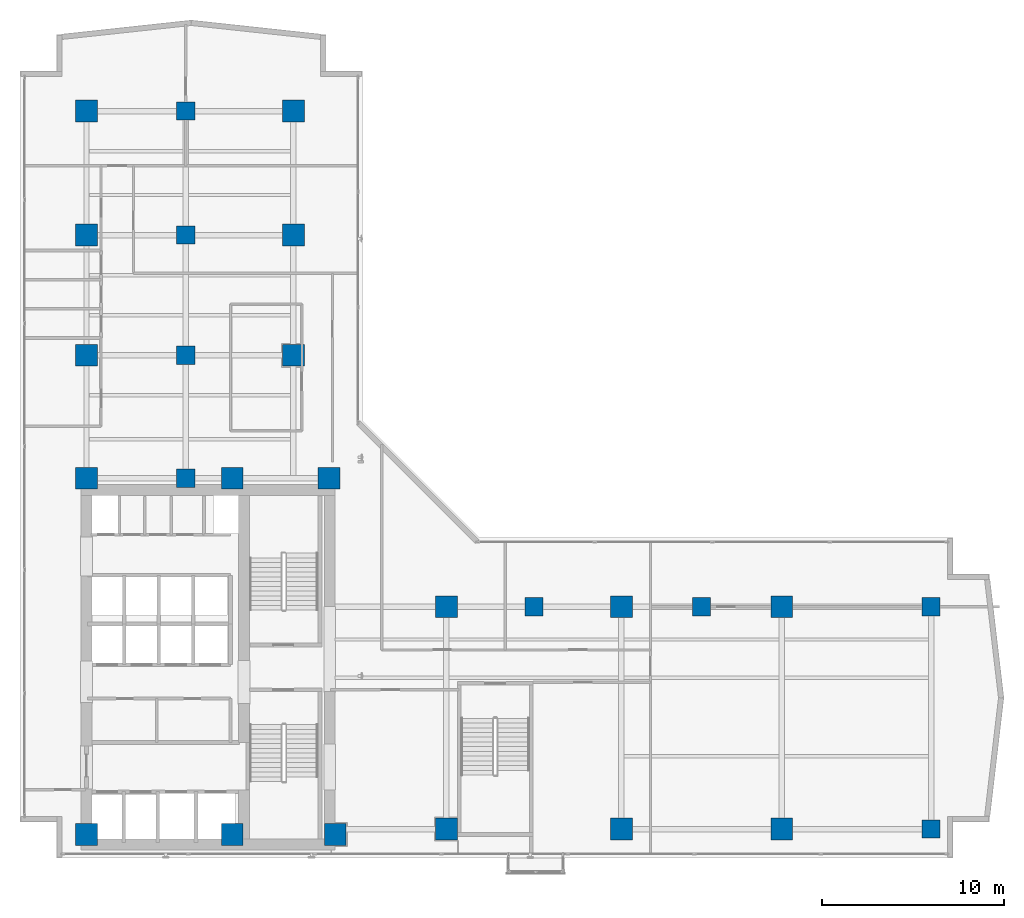
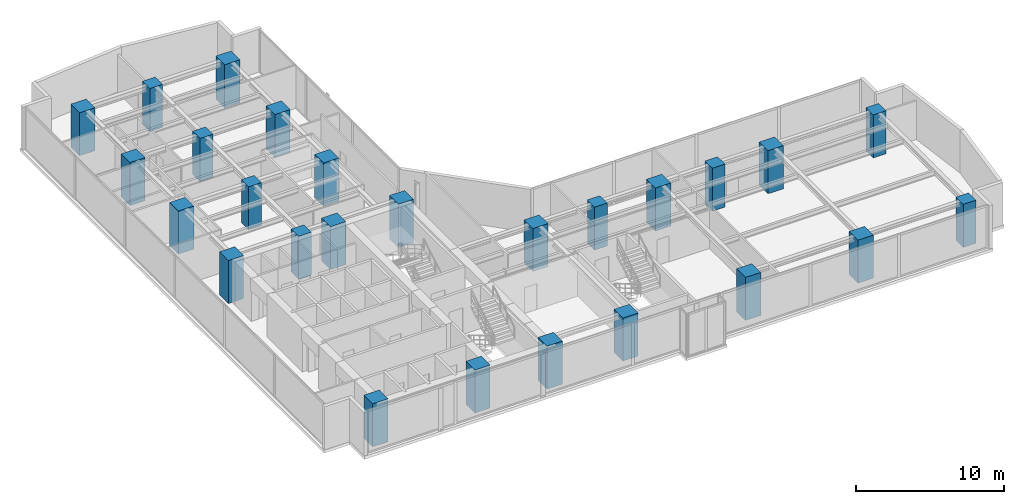
# One storey, part 1 of 24: 26 columns.
"""IFC4 building model written with IfcOpenShell, lengths in metres."""

from ifc_helpers import new_model, si_unit, direction, frame, origin, origin_2d, place, context, subcontext, project, spatial, rectangle, extrude, material, material_profile, profile_set, type_object, element, save


model = new_model("IFC4")

# Units and contexts
model_context = context("Model", 3, precision=1e-05, world=origin(), true_north=direction((0.0, 1.0)))
body_context = subcontext(model_context, "Body", "Model", "MODEL_VIEW")
ifc_project = project(units=[si_unit("LENGTHUNIT", "METRE"), si_unit("AREAUNIT", "SQUARE_METRE"), si_unit("VOLUMEUNIT", "CUBIC_METRE"), si_unit("PLANEANGLEUNIT", "RADIAN"), si_unit("MASSUNIT", "GRAM", prefix="KILO")], contexts=[model_context])

# Site, building, storey
site_placement = place(None, origin())
site = spatial("IfcSite", under=ifc_project, at=site_placement, CompositionType="ELEMENT")
building_placement = place(site_placement, origin())
building = spatial("IfcBuilding", under=site, at=building_placement, Name="Kolvaren Waterfront Exchange", CompositionType="ELEMENT")
storey_placement = place(building_placement, frame((0.0, 0.0, 172.800048828125)))
storey = spatial("IfcBuildingStorey", under=building, at=storey_placement, Name="L44", CompositionType="ELEMENT", Elevation=172.800048828125)

# Columns
ifc_material = material(Name="Concrete C60/75", Category="concrete")
ifc_material_profile_1 = material_profile(ifc_material, rectangle(XDim=1.0, YDim=1.0, at=origin_2d()), Name="RC-COL-1000x1000")
ifc_profile_set_1 = profile_set([ifc_material_profile_1], Name="Concrete C60/75")
column_type_1 = type_object("IfcColumnType", Name="STR-COL-1000-C60", PredefinedType="COLUMN", material=ifc_profile_set_1)
for number, where, z_axis, x_axis, name in (
    (1, (53.800048828125, 5.199951171875, 0.0), (0.0, 0.0, 1.0), (1.0, 0.0, 0.0), "L44 column ZC01"),
    (2, (53.800048828125, 17.39990234375, 0.0), (0.0, 0.0, 1.0), (1.0, 0.0, 0.0), "L44 column ZC02"),
    (3, (12.89990234375, 24.449951171875, 0.0), (0.0, 0.0, 1.0), (1.0, 0.0, 0.0), "L44 column TC01"),
    (4, (12.89990234375, 31.199951171875, 0.0), (0.0, 0.0, 1.0), (1.0, 0.0, 0.0), "L44 column TC02"),
    (5, (12.89990234375, 37.800048828125, 0.0), (0.0, 0.0, 1.0), (1.0, 0.0, 0.0), "L44 column TC03"),
    (6, (12.89990234375, 44.60009765625, 0.0), (0.0, 0.0, 1.0), (1.0, 0.0, 0.0), "L44 column TC04"),
    (7, (32.0, 17.39990234375, 0.0), (0.0, 0.0, 1.0), (1.0, 0.0, 0.0), "L44 column TC05"),
    (8, (41.199951171875, 17.39990234375, 0.0), (0.0, 0.0, 1.0), (1.0, 0.0, 0.0), "L44 column TC06"),
):
    element("IfcColumn", number, at=place(storey_placement, frame(where, z_axis=z_axis, x_axis=x_axis)), inside=storey, type_object=column_type_1, Name=name, PredefinedType="COLUMN", context=body_context, shape_type="SweptSolid", body=[
        extrude(rectangle(XDim=1.0, YDim=1.0, at=origin_2d()), origin(), (0.0, 0.0, 1.0), 3.56005859375),
    ])
ifc_material_profile_2 = material_profile(ifc_material, rectangle(XDim=1.199951171875, YDim=1.199951171875, at=origin_2d()), Name="RC-COL-1200x1200")
ifc_profile_set_2 = profile_set([ifc_material_profile_2], Name="Concrete C60/75")
column_type_2 = type_object("IfcColumnType", Name="STR-COL-1200-C60", PredefinedType="COLUMN", material=ifc_profile_set_2)
for number, where, z_axis, x_axis, name in (
    (9, (7.449951171875, 4.89990234375, 0.0), (0.0, 0.0, 1.0), (1.0, 0.0, 0.0), "L44 column MC01"),
    (10, (15.449951171875, 4.89990234375, 0.0), (0.0, 0.0, 1.0), (1.0, 0.0, 0.0), "L44 column MC02"),
    (11, (21.10009765625, 4.89990234375, 0.0), (0.0, 0.0, 1.0), (1.0, 0.0, 0.0), "L44 column MC03"),
    (12, (7.449951171875, 24.449951171875, 0.0), (0.0, 0.0, 1.0), (1.0, 0.0, 0.0), "L44 column MC04"),
    (13, (15.449951171875, 24.449951171875, 0.0), (0.0, 0.0, 1.0), (1.0, 0.0, 0.0), "L44 column MC05"),
    (14, (20.75, 24.449951171875, 0.0), (0.0, 0.0, 1.0), (1.0, 0.0, 0.0), "L44 column MC06"),
    (15, (7.449951171875, 31.199951171875, 0.0), (0.0, 0.0, 1.0), (1.0, 0.0, 0.0), "L44 column NC01"),
    (16, (7.449951171875, 37.800048828125, 0.0), (0.0, 0.0, 1.0), (1.0, 0.0, 0.0), "L44 column NC02"),
    (17, (7.449951171875, 44.60009765625, 0.0), (0.0, 0.0, 1.0), (1.0, 0.0, 0.0), "L44 column NC03"),
    (18, (18.800048828125, 31.199951171875, 0.0), (0.0, 0.0, 1.0), (1.0, 0.0, 0.0), "L44 column NC04"),
    (19, (18.800048828125, 37.800048828125, 0.0), (0.0, 0.0, 1.0), (1.0, 0.0, 0.0), "L44 column NC05"),
    (20, (18.800048828125, 44.60009765625, 0.0), (0.0, 0.0, 1.0), (1.0, 0.0, 0.0), "L44 column NC06"),
    (21, (27.199951171875, 5.199951171875, 0.0), (0.0, 0.0, 1.0), (1.0, 0.0, 0.0), "L44 column EC01"),
    (22, (36.800048828125, 5.199951171875, 0.0), (0.0, 0.0, 1.0), (1.0, 0.0, 0.0), "L44 column EC02"),
    (23, (45.60009765625, 5.199951171875, 0.0), (0.0, 0.0, 1.0), (1.0, 0.0, 0.0), "L44 column EC03"),
    (24, (27.199951171875, 17.39990234375, 0.0), (0.0, 0.0, 1.0), (1.0, 0.0, 0.0), "L44 column EC04"),
    (25, (36.800048828125, 17.39990234375, 0.0), (0.0, 0.0, 1.0), (1.0, 0.0, 0.0), "L44 column EC05"),
    (26, (45.60009765625, 17.39990234375, 0.0), (0.0, 0.0, 1.0), (1.0, 0.0, 0.0), "L44 column EC06"),
):
    element("IfcColumn", number, at=place(storey_placement, frame(where, z_axis=z_axis, x_axis=x_axis)), inside=storey, type_object=column_type_2, Name=name, PredefinedType="COLUMN", context=body_context, shape_type="SweptSolid", body=[
        extrude(rectangle(XDim=1.199951171875, YDim=1.199951171875, at=origin_2d()), origin(), (0.0, 0.0, 1.0), 3.56005859375),
    ])

save(model, "model.ifc")
